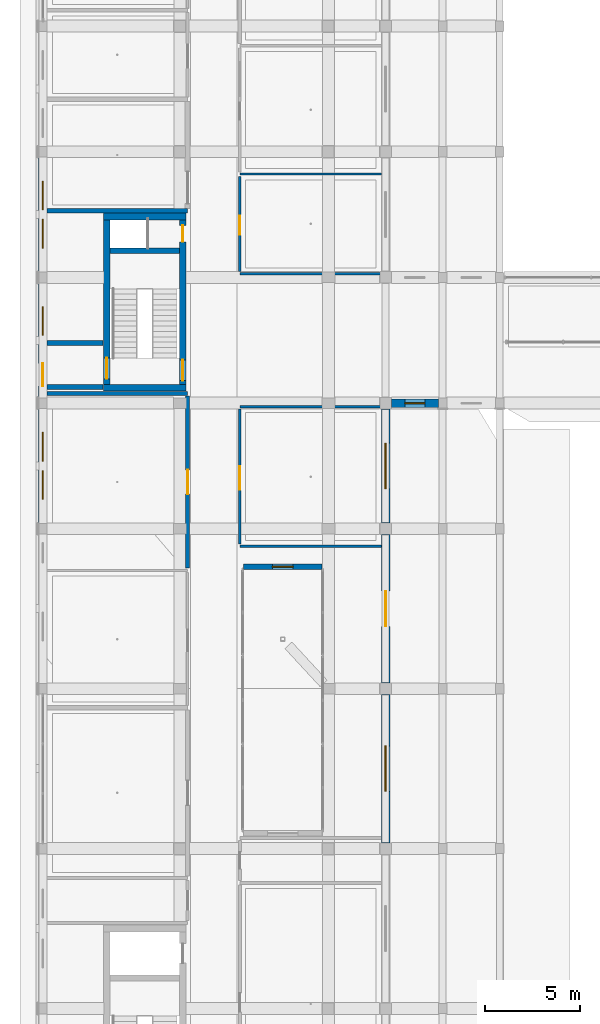
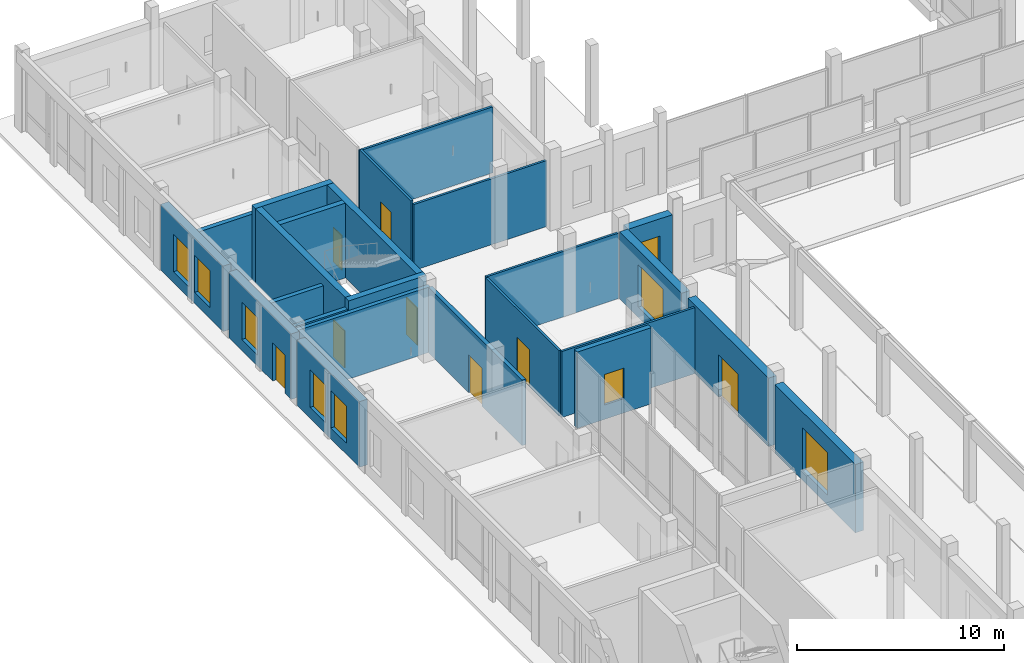
# One storey, part 49 of 88: 24 walls, 9 windows, 8 doors, 17 openings.
"""IFC4 building model written with IfcOpenShell, lengths in metres."""

from ifc_helpers import new_model, si_unit, derived_unit, direction, frame, frame_2d, origin, origin_with_axes, place, context, subcontext, project, spatial, rectangle, extrude, material, layer, layer_set, type_object, element, fill, save


model = new_model("IFC4")

# Units and contexts
model_context = context("Model", 3, precision=1e-05, world=origin(), true_north=direction((0.0, 1.0)))
body_context = subcontext(model_context, "Body", "Model", "MODEL_VIEW")
ifc_project = project(units=[si_unit("LENGTHUNIT", "METRE"), si_unit("AREAUNIT", "SQUARE_METRE"), si_unit("VOLUMEUNIT", "CUBIC_METRE"), si_unit("PLANEANGLEUNIT", "RADIAN"), si_unit("MASSUNIT", "GRAM", prefix="KILO"), derived_unit("THERMALTRANSMITTANCEUNIT", [(si_unit("POWERUNIT", "WATT"), 1), (si_unit("LENGTHUNIT", "METRE"), -2), (si_unit("THERMODYNAMICTEMPERATUREUNIT", "KELVIN"), -1)])], contexts=[model_context])

# Site, building, storey
site_placement = place(None, origin())
site = spatial("IfcSite", under=ifc_project, at=site_placement, CompositionType="ELEMENT")
building_placement = place(site_placement, origin())
building = spatial("IfcBuilding", under=site, at=building_placement, Name="Braskholm Square Health Centre", CompositionType="ELEMENT")
storey_placement = place(building_placement, origin())
storey = spatial("IfcBuildingStorey", under=building, at=storey_placement, Name="L01", CompositionType="ELEMENT", Elevation=0.0)

# Wall, opening, door
ifc_material_1 = material(Name="Acoustic gypsum board partition")
ifc_layer_1 = layer(ifc_material_1, 0.125)
ifc_layer_set_1 = layer_set([ifc_layer_1], Name="Acoustic gypsum board partition")
wall_type_1 = type_object("IfcWallType", Name="ClinicalExamPartition125", PredefinedType="PARTITIONING", material=ifc_layer_set_1)
wall_1_placement = place(storey_placement, frame((14.550048828125, 79.800048828125, 0.0), z_axis=(0.0, 0.0, 1.0), x_axis=(0.0, 1.0, 0.0)))
wall_1 = element("IfcWall", 1, at=wall_1_placement, inside=storey, type_object=wall_type_1, Name="Interior partition PWALL-L01-0063", PredefinedType="PARTITIONING", context=body_context, shape_type="SweptSolid", body=[
    extrude(rectangle(XDim=7.079833984375, YDim=0.125, at=frame_2d((3.5400390625, 0.0))), origin(), (0.0, 0.0, 1.0), 3.864990234375),
])
opening_1_placement = place(wall_1_placement, frame((2.85400390625, 0.0, 0.0)))
opening_1 = element("IfcOpeningElement", 2, at=opening_1_placement, cuts=wall_1, Name="Opening D-04", PredefinedType="OPENING", context=body_context, shape_type="SweptSolid", body=[
    extrude(rectangle(XDim=1.219970703125, YDim=2.199951171875, at=frame_2d((0.60986328125, 1.10009765625))), frame((0.0, 0.072509765625, 0.0), z_axis=(0.0, -1.0, 0.0), x_axis=(1.0, 0.0, 0.0)), (0.0, 0.0, 1.0), 0.14501953125),
])
ifc_material_2 = material(Name="Architectural bronze anodised aluminium", Category="aluminium")
door_type_1 = type_object("IfcDoorType", Name="DoorBariatricExam1220x2200", OperationType="NOTDEFINED", PredefinedType="DOOR", material=ifc_material_2)
door_1_placement = place(opening_1_placement, frame((1.219970703125, 0.0, 0.0), z_axis=(0.0, 0.0, 1.0), x_axis=(-1.0, 0.0, 0.0)))
door_1 = element("IfcDoor", 3, at=door_1_placement, inside=storey, type_object=door_type_1, Name="Interior door 0028 L01", OperationType="SINGLE_SWING_LEFT", OverallHeight=2.199951171875, OverallWidth=1.219970703125, PredefinedType="DOOR", context=body_context, shape_type="SweptSolid", body=[
    extrude(rectangle(XDim=1.219970703125, YDim=2.199951171875, at=frame_2d((0.60986328125, 1.10009765625))), frame((0.0, 0.02490234375, 0.0), z_axis=(0.0, -1.0, 0.0), x_axis=(1.0, 0.0, 0.0)), (0.0, 0.0, 1.0), 0.050048828125),
])
fill(opening_1, door_1)

# Walls
wall_2_placement = place(storey_placement, frame((14.550048828125, 79.679931640625, 0.0), z_axis=(0.0, 0.0, 1.0), x_axis=(1.0, 0.0, 0.0)))
element("IfcWall", 4, at=wall_2_placement, inside=storey, type_object=wall_type_1, Name="Interior partition PWALL-L01-0064", PredefinedType="PARTITIONING", context=body_context, shape_type="SweptSolid", body=[
    extrude(rectangle(XDim=7.425048828125, YDim=0.125, at=frame_2d((3.71240234375, 0.0))), origin(), (0.0, 0.0, 1.0), 3.89501953125),
])
wall_3_placement = place(storey_placement, frame((14.550048828125, 87.0, 0.0), z_axis=(0.0, 0.0, 1.0), x_axis=(1.0, 0.0, 0.0)))
element("IfcWall", 5, at=wall_3_placement, inside=storey, type_object=wall_type_1, Name="Interior partition PWALL-L01-0065", PredefinedType="PARTITIONING", context=body_context, shape_type="SweptSolid", body=[
    extrude(rectangle(XDim=7.425048828125, YDim=0.125, at=frame_2d((3.71240234375, 0.0))), origin(), (0.0, 0.0, 1.0), 3.864990234375),
])

# Wall, opening, door
wall_4_placement = place(storey_placement, frame((14.550048828125, 94.1201171875, 0.0), z_axis=(0.0, 0.0, 1.0), x_axis=(0.0, 1.0, 0.0)))
wall_4 = element("IfcWall", 6, at=wall_4_placement, inside=storey, type_object=wall_type_1, Name="Interior partition PWALL-L01-0066", PredefinedType="PARTITIONING", context=body_context, shape_type="SweptSolid", body=[
    extrude(rectangle(XDim=4.989990234375, YDim=0.125, at=frame_2d((2.4951171875, 0.0))), origin(), (0.0, 0.0, 1.0), 4.014892578125),
])
opening_2_placement = place(wall_4_placement, frame((1.909912109375, 0.0, 0.0)))
opening_2 = element("IfcOpeningElement", 7, at=opening_2_placement, cuts=wall_4, Name="Opening D-25", PredefinedType="OPENING", context=body_context, shape_type="SweptSolid", body=[
    extrude(rectangle(XDim=1.02001953125, YDim=2.179931640625, at=frame_2d((0.510009765625, 1.08984375))), frame((0.0, 0.072509765625, 0.0), z_axis=(0.0, -1.0, 0.0), x_axis=(1.0, 0.0, 0.0)), (0.0, 0.0, 1.0), 0.14501953125),
])
door_type_2 = type_object("IfcDoorType", Name="DoorConsultWide1020x2180", OperationType="NOTDEFINED", PredefinedType="DOOR", material=ifc_material_2)
door_2_placement = place(opening_2_placement, frame((1.02001953125, 0.0, 0.0), z_axis=(0.0, 0.0, 1.0), x_axis=(-1.0, 0.0, 0.0)))
door_2 = element("IfcDoor", 8, at=door_2_placement, inside=storey, type_object=door_type_2, Name="Interior door 0029 L01", OperationType="SINGLE_SWING_RIGHT", OverallHeight=2.179931640625, OverallWidth=1.02001953125, PredefinedType="DOOR", context=body_context, shape_type="SweptSolid", body=[
    extrude(rectangle(XDim=1.02001953125, YDim=2.179931640625, at=frame_2d((0.510009765625, 1.08984375))), frame((0.0, 0.02490234375, 0.0), z_axis=(0.0, -1.0, 0.0), x_axis=(1.0, 0.0, 0.0)), (0.0, 0.0, 1.0), 0.050048828125),
])
fill(opening_2, door_2)

# Walls
for number, where, z_axis, x_axis, name in (
    (9, (14.550048828125, 94.0, 0.0), (0.0, 0.0, 1.0), (1.0, 0.0, 0.0), "Interior partition PWALL-L01-0067"),
    (10, (14.550048828125, 99.22998046875, 0.0), (0.0, 0.0, 1.0), (1.0, 0.0, 0.0), "Interior partition PWALL-L01-0068"),
):
    element("IfcWall", number, at=place(storey_placement, frame(where, z_axis=z_axis, x_axis=x_axis)), inside=storey, type_object=wall_type_1, Name=name, PredefinedType="PARTITIONING", context=body_context, shape_type="SweptSolid", body=[
        extrude(rectangle(XDim=7.425048828125, YDim=0.125, at=frame_2d((3.71240234375, 0.0))), origin(), (0.0, 0.0, 1.0), 3.89501953125),
    ])

# Wall, openings, windows
ifc_material_3 = material(Name="Mankato-Kasota dolomitic limestone ashlar", Category="masonry")
ifc_layer_2 = layer(ifc_material_3, 0.449951171875)
ifc_layer_set_2 = layer_set([ifc_layer_2], Name="Mankato-Kasota dolomitic limestone ashlar")
wall_type_2 = type_object("IfcWallType", Name="ExteriorKasotaWall450", PredefinedType="SOLIDWALL", material=ifc_layer_set_2)
wall_5_placement = place(storey_placement, frame((4.199951171875, 86.91796875, 0.0), z_axis=(0.0, 0.0, 1.0), x_axis=(0.0, -1.0, 0.0)))
wall_5 = element("IfcWall", 11, at=wall_5_placement, inside=storey, type_object=wall_type_2, Name="Exterior wall EWALL-L01-0008", PredefinedType="SOLIDWALL", context=body_context, shape_type="SweptSolid", body=[
    extrude(rectangle(XDim=6.035888671875, YDim=0.449951171875, at=frame_2d((3.01806640625, 0.0))), origin(), (0.0, 0.0, 1.0), 3.8701171875),
])
opening_3_placement = place(wall_5_placement, frame((1.261962890625, 0.0, 0.64990234375)))
opening_3 = element("IfcOpeningElement", 12, at=opening_3_placement, cuts=wall_5, Name="Opening WN-03", PredefinedType="OPENING", context=body_context, shape_type="SweptSolid", body=[
    extrude(rectangle(XDim=1.5, YDim=2.199951171875, at=frame_2d((0.75, 1.10009765625))), frame((0.0, 0.23486328125, 0.0), z_axis=(0.0, -1.0, 0.0), x_axis=(1.0, 0.0, 0.0)), (0.0, 0.0, 1.0), 0.469970703125),
])
opening_4_placement = place(wall_5_placement, frame((3.27392578125, 0.0, 0.64990234375)))
opening_4 = element("IfcOpeningElement", 13, at=opening_4_placement, cuts=wall_5, Name="Opening WN-03", PredefinedType="OPENING", context=body_context, shape_type="SweptSolid", body=[
    extrude(rectangle(XDim=1.5, YDim=2.199951171875, at=frame_2d((0.75, 1.10009765625))), frame((0.0, 0.23486328125, 0.0), z_axis=(0.0, -1.0, 0.0), x_axis=(1.0, 0.0, 0.0)), (0.0, 0.0, 1.0), 0.469970703125),
])
ifc_material_4 = material(Name="Low-E triple insulating glass (VLT 0.64)", Category="glass")
window_type_1 = type_object("IfcWindowType", Name="WinArtDecoTwin1500x2200", PartitioningType="SINGLE_PANEL", PredefinedType="WINDOW", material=ifc_material_4)
window_1_placement = place(opening_3_placement, origin_with_axes())
window_1 = element("IfcWindow", 14, at=window_1_placement, inside=storey, type_object=window_type_1, Name="Exterior window 0013 L01", OverallHeight=2.199951171875, OverallWidth=1.5, PartitioningType="SINGLE_PANEL", PredefinedType="WINDOW", context=body_context, shape_type="SweptSolid", body=[
    extrude(rectangle(XDim=1.5, YDim=2.199951171875, at=frame_2d((0.75, 1.10009765625))), frame((0.0, 0.030029296875, 0.0), z_axis=(0.0, -1.0, 0.0), x_axis=(1.0, 0.0, 0.0)), (0.0, 0.0, 1.0), 0.06005859375),
])
fill(opening_3, window_1)
window_2_placement = place(opening_4_placement, origin_with_axes())
window_2 = element("IfcWindow", 15, at=window_2_placement, inside=storey, type_object=window_type_1, Name="Exterior window 0014 L01", OverallHeight=2.199951171875, OverallWidth=1.5, PartitioningType="SINGLE_PANEL", PredefinedType="WINDOW", context=body_context, shape_type="SweptSolid", body=[
    extrude(rectangle(XDim=1.5, YDim=2.199951171875, at=frame_2d((0.75, 1.10009765625))), frame((0.0, 0.030029296875, 0.0), z_axis=(0.0, -1.0, 0.0), x_axis=(1.0, 0.0, 0.0)), (0.0, 0.0, 1.0), 0.06005859375),
])
fill(opening_4, window_2)

# Wall, openings, door, window
wall_6_placement = place(storey_placement, frame((4.199951171875, 93.51806640625, 0.0), z_axis=(0.0, 0.0, 1.0), x_axis=(0.0, -1.0, 0.0)))
wall_6 = element("IfcWall", 16, at=wall_6_placement, inside=storey, type_object=wall_type_2, Name="Exterior wall EWALL-L01-0009", PredefinedType="SOLIDWALL", context=body_context, shape_type="SweptSolid", body=[
    extrude(rectangle(XDim=6.0361328125, YDim=0.449951171875, at=frame_2d((3.01806640625, 0.0))), origin(), (0.0, 0.0, 1.0), 3.8701171875),
])
opening_5_placement = place(wall_6_placement, frame((4.22900390625, 0.0, 0.0)))
opening_5 = element("IfcOpeningElement", 17, at=opening_5_placement, cuts=wall_6, Name="Opening D-E3", PredefinedType="OPENING", context=body_context, shape_type="SweptSolid", body=[
    extrude(rectangle(XDim=1.199951171875, YDim=2.25, at=frame_2d((0.60009765625, 1.125))), frame((0.0, 0.23486328125, 0.0), z_axis=(0.0, -1.0, 0.0), x_axis=(1.0, 0.0, 0.0)), (0.0, 0.0, 1.0), 0.469970703125),
])
opening_6_placement = place(wall_6_placement, frame((1.261962890625, 0.0, 0.64990234375)))
opening_6 = element("IfcOpeningElement", 18, at=opening_6_placement, cuts=wall_6, Name="Opening WN-03", PredefinedType="OPENING", context=body_context, shape_type="SweptSolid", body=[
    extrude(rectangle(XDim=1.5, YDim=2.199951171875, at=frame_2d((0.75, 1.10009765625))), frame((0.0, 0.23486328125, 0.0), z_axis=(0.0, -1.0, 0.0), x_axis=(1.0, 0.0, 0.0)), (0.0, 0.0, 1.0), 0.469970703125),
])
door_type_3 = type_object("IfcDoorType", Name="DoorStairExitDischarge1200x2250", OperationType="NOTDEFINED", PredefinedType="DOOR", material=ifc_material_2)
door_3_placement = place(opening_5_placement, frame((1.199951171875, 0.0, 0.0), z_axis=(0.0, 0.0, 1.0), x_axis=(-1.0, 0.0, 0.0)))
door_3 = element("IfcDoor", 19, at=door_3_placement, inside=storey, type_object=door_type_3, Name="Exterior door 0003 L01", OperationType="SINGLE_SWING_LEFT", OverallHeight=2.25, OverallWidth=1.199951171875, PredefinedType="DOOR", context=body_context, shape_type="SweptSolid", body=[
    extrude(rectangle(XDim=1.199951171875, YDim=2.25, at=frame_2d((0.60009765625, 1.125))), frame((0.0, 0.02490234375, 0.0), z_axis=(0.0, -1.0, 0.0), x_axis=(1.0, 0.0, 0.0)), (0.0, 0.0, 1.0), 0.050048828125),
])
fill(opening_5, door_3)
window_3_placement = place(opening_6_placement, origin_with_axes())
window_3 = element("IfcWindow", 20, at=window_3_placement, inside=storey, type_object=window_type_1, Name="Exterior window 0015 L01", OverallHeight=2.199951171875, OverallWidth=1.5, PartitioningType="SINGLE_PANEL", PredefinedType="WINDOW", context=body_context, shape_type="SweptSolid", body=[
    extrude(rectangle(XDim=1.5, YDim=2.199951171875, at=frame_2d((0.75, 1.10009765625))), frame((0.0, 0.030029296875, 0.0), z_axis=(0.0, -1.0, 0.0), x_axis=(1.0, 0.0, 0.0)), (0.0, 0.0, 1.0), 0.06005859375),
])
fill(opening_6, window_3)

# Wall, openings, windows
wall_7_placement = place(storey_placement, frame((4.199951171875, 100.117919921875, 0.0), z_axis=(0.0, 0.0, 1.0), x_axis=(0.0, -1.0, 0.0)))
wall_7 = element("IfcWall", 21, at=wall_7_placement, inside=storey, type_object=wall_type_2, Name="Exterior wall EWALL-L01-0010", PredefinedType="SOLIDWALL", context=body_context, shape_type="SweptSolid", body=[
    extrude(rectangle(XDim=6.035888671875, YDim=0.449951171875, at=frame_2d((3.01806640625, 0.0))), origin(), (0.0, 0.0, 1.0), 3.8701171875),
])
opening_7_placement = place(wall_7_placement, frame((1.261962890625, 0.0, 0.64990234375)))
opening_7 = element("IfcOpeningElement", 22, at=opening_7_placement, cuts=wall_7, Name="Opening WN-03", PredefinedType="OPENING", context=body_context, shape_type="SweptSolid", body=[
    extrude(rectangle(XDim=1.5, YDim=2.199951171875, at=frame_2d((0.75, 1.10009765625))), frame((0.0, 0.23486328125, 0.0), z_axis=(0.0, -1.0, 0.0), x_axis=(1.0, 0.0, 0.0)), (0.0, 0.0, 1.0), 0.469970703125),
])
opening_8_placement = place(wall_7_placement, frame((3.27392578125, 0.0, 0.64990234375)))
opening_8 = element("IfcOpeningElement", 23, at=opening_8_placement, cuts=wall_7, Name="Opening WN-03", PredefinedType="OPENING", context=body_context, shape_type="SweptSolid", body=[
    extrude(rectangle(XDim=1.5, YDim=2.199951171875, at=frame_2d((0.75, 1.10009765625))), frame((0.0, 0.23486328125, 0.0), z_axis=(0.0, -1.0, 0.0), x_axis=(1.0, 0.0, 0.0)), (0.0, 0.0, 1.0), 0.469970703125),
])
window_4_placement = place(opening_7_placement, origin_with_axes())
window_4 = element("IfcWindow", 24, at=window_4_placement, inside=storey, type_object=window_type_1, Name="Exterior window 0016 L01", OverallHeight=2.199951171875, OverallWidth=1.5, PartitioningType="SINGLE_PANEL", PredefinedType="WINDOW", context=body_context, shape_type="SweptSolid", body=[
    extrude(rectangle(XDim=1.5, YDim=2.199951171875, at=frame_2d((0.75, 1.10009765625))), frame((0.0, 0.030029296875, 0.0), z_axis=(0.0, -1.0, 0.0), x_axis=(1.0, 0.0, 0.0)), (0.0, 0.0, 1.0), 0.06005859375),
])
fill(opening_7, window_4)
window_5_placement = place(opening_8_placement, origin_with_axes())
window_5 = element("IfcWindow", 25, at=window_5_placement, inside=storey, type_object=window_type_1, Name="Exterior window 0017 L01", OverallHeight=2.199951171875, OverallWidth=1.5, PartitioningType="SINGLE_PANEL", PredefinedType="WINDOW", context=body_context, shape_type="SweptSolid", body=[
    extrude(rectangle(XDim=1.5, YDim=2.199951171875, at=frame_2d((0.75, 1.10009765625))), frame((0.0, 0.030029296875, 0.0), z_axis=(0.0, -1.0, 0.0), x_axis=(1.0, 0.0, 0.0)), (0.0, 0.0, 1.0), 0.06005859375),
])
fill(opening_8, window_5)

# Wall, opening, window
wall_8_placement = place(storey_placement, frame((22.199951171875, 64.10205078125, 0.0), z_axis=(0.0, 0.0, 1.0), x_axis=(0.0, 1.0, 0.0)))
wall_8 = element("IfcWall", 26, at=wall_8_placement, inside=storey, type_object=wall_type_2, Name="Exterior wall EWALL-L01-0103", PredefinedType="SOLIDWALL", context=body_context, shape_type="SweptSolid", body=[
    extrude(rectangle(XDim=7.7958984375, YDim=0.449951171875, at=frame_2d((3.89794921875, 0.0))), origin(), (0.0, 0.0, 1.0), 4.0400390625),
])
opening_9_placement = place(wall_8_placement, frame((2.697998046875, 0.0, 0.60009765625)))
opening_9 = element("IfcOpeningElement", 27, at=opening_9_placement, cuts=wall_8, Name="Opening WN-05", PredefinedType="OPENING", context=body_context, shape_type="SweptSolid", body=[
    extrude(rectangle(XDim=2.39990234375, YDim=2.5, at=frame_2d((1.199951171875, 1.25))), frame((0.0, 0.23486328125, 0.0), z_axis=(0.0, -1.0, 0.0), x_axis=(1.0, 0.0, 0.0)), (0.0, 0.0, 1.0), 0.469970703125),
])
window_type_2 = type_object("IfcWindowType", Name="WinStorefrontSquare2400x2500", PartitioningType="SINGLE_PANEL", PredefinedType="WINDOW", material=ifc_material_4)
window_6_placement = place(opening_9_placement, origin_with_axes())
window_6 = element("IfcWindow", 28, at=window_6_placement, inside=storey, type_object=window_type_2, Name="Exterior window 0175 L01", OverallHeight=2.5, OverallWidth=2.39990234375, PartitioningType="SINGLE_PANEL", PredefinedType="WINDOW", context=body_context, shape_type="SweptSolid", body=[
    extrude(rectangle(XDim=2.39990234375, YDim=2.5, at=frame_2d((1.199951171875, 1.25))), frame((0.0, 0.030029296875, 0.0), z_axis=(0.0, -1.0, 0.0), x_axis=(1.0, 0.0, 0.0)), (0.0, 0.0, 1.0), 0.06005859375),
])
fill(opening_9, window_6)

# Wall, opening, door
wall_9_placement = place(storey_placement, frame((22.199951171875, 72.501953125, 0.0), z_axis=(0.0, 0.0, 1.0), x_axis=(0.0, 1.0, 0.0)))
wall_9 = element("IfcWall", 29, at=wall_9_placement, inside=storey, type_object=wall_type_2, Name="Exterior wall EWALL-L01-0104", PredefinedType="SOLIDWALL", context=body_context, shape_type="SweptSolid", body=[
    extrude(rectangle(XDim=7.796142578125, YDim=0.449951171875, at=frame_2d((3.89794921875, 0.0))), origin(), (0.0, 0.0, 1.0), 4.0400390625),
])
opening_10_placement = place(wall_9_placement, frame((2.968017578125, 0.0, 0.0)))
opening_10 = element("IfcOpeningElement", 30, at=opening_10_placement, cuts=wall_9, Name="Opening D-E2", PredefinedType="OPENING", context=body_context, shape_type="SweptSolid", body=[
    extrude(rectangle(XDim=1.860107421875, YDim=2.5, at=frame_2d((0.93017578125, 1.25))), frame((0.0, 0.23486328125, 0.0), z_axis=(0.0, -1.0, 0.0), x_axis=(1.0, 0.0, 0.0)), (0.0, 0.0, 1.0), 0.469970703125),
])
door_type_4 = type_object("IfcDoorType", Name="DoorSquareEntrancePair1860x2500", OperationType="DOUBLE_DOOR_SINGLE_SWING", PredefinedType="DOOR", material=ifc_material_4)
door_4_placement = place(opening_10_placement, frame((1.860107421875, 0.0, 0.0), z_axis=(0.0, 0.0, 1.0), x_axis=(-1.0, 0.0, 0.0)))
door_4 = element("IfcDoor", 31, at=door_4_placement, inside=storey, type_object=door_type_4, Name="Exterior door 0010 L01", OperationType="DOUBLE_DOOR_SINGLE_SWING", OverallHeight=2.5, OverallWidth=1.860107421875, PredefinedType="DOOR", context=body_context, shape_type="SweptSolid", body=[
    extrude(rectangle(XDim=1.860107421875, YDim=2.5, at=frame_2d((0.93017578125, 1.25))), frame((0.0, 0.02490234375, 0.0), z_axis=(0.0, -1.0, 0.0), x_axis=(1.0, 0.0, 0.0)), (0.0, 0.0, 1.0), 0.050048828125),
])
fill(opening_10, door_4)

# Wall, opening, window
wall_10_placement = place(storey_placement, frame((22.199951171875, 80.902099609375, 0.0), z_axis=(0.0, 0.0, 1.0), x_axis=(0.0, 1.0, 0.0)))
wall_10 = element("IfcWall", 32, at=wall_10_placement, inside=storey, type_object=wall_type_2, Name="Exterior wall EWALL-L01-0105", PredefinedType="SOLIDWALL", context=body_context, shape_type="SweptSolid", body=[
    extrude(rectangle(XDim=5.995849609375, YDim=0.449951171875, at=frame_2d((2.998046875, 0.0))), origin(), (0.0, 0.0, 1.0), 3.9599609375),
])
opening_11_placement = place(wall_10_placement, frame((1.798095703125, 0.0, 0.60009765625)))
opening_11 = element("IfcOpeningElement", 33, at=opening_11_placement, cuts=wall_10, Name="Opening WN-05", PredefinedType="OPENING", context=body_context, shape_type="SweptSolid", body=[
    extrude(rectangle(XDim=2.39990234375, YDim=2.5, at=frame_2d((1.199951171875, 1.25))), frame((0.0, 0.23486328125, 0.0), z_axis=(0.0, -1.0, 0.0), x_axis=(1.0, 0.0, 0.0)), (0.0, 0.0, 1.0), 0.469970703125),
])
window_7_placement = place(opening_11_placement, origin_with_axes())
window_7 = element("IfcWindow", 34, at=window_7_placement, inside=storey, type_object=window_type_2, Name="Exterior window 0176 L01", OverallHeight=2.5, OverallWidth=2.39990234375, PartitioningType="SINGLE_PANEL", PredefinedType="WINDOW", context=body_context, shape_type="SweptSolid", body=[
    extrude(rectangle(XDim=2.39990234375, YDim=2.5, at=frame_2d((1.199951171875, 1.25))), frame((0.0, 0.030029296875, 0.0), z_axis=(0.0, -1.0, 0.0), x_axis=(1.0, 0.0, 0.0)), (0.0, 0.0, 1.0), 0.06005859375),
])
fill(opening_11, window_7)

wall_11_placement = place(storey_placement, frame((22.501953125, 87.199951171875, 0.0), z_axis=(0.0, 0.0, 1.0), x_axis=(1.0, 0.0, 0.0)))
wall_11 = element("IfcWall", 35, at=wall_11_placement, inside=storey, type_object=wall_type_2, Name="Exterior wall EWALL-L01-0253", PredefinedType="SOLIDWALL", context=body_context, shape_type="SweptSolid", body=[
    extrude(rectangle(XDim=2.47607421875, YDim=0.449951171875, at=frame_2d((1.238037109375, 0.0))), origin(), (0.0, 0.0, 1.0), 3.8701171875),
])
opening_12_placement = place(wall_11_placement, frame((0.712890625, 0.0, 0.64990234375)))
opening_12 = element("IfcOpeningElement", 36, at=opening_12_placement, cuts=wall_11, Name="Opening WN-02", PredefinedType="OPENING", context=body_context, shape_type="SweptSolid", body=[
    extrude(rectangle(XDim=1.050048828125, YDim=2.199951171875, at=frame_2d((0.52490234375, 1.10009765625))), frame((0.0, 0.23486328125, 0.0), z_axis=(0.0, -1.0, 0.0), x_axis=(1.0, 0.0, 0.0)), (0.0, 0.0, 1.0), 0.469970703125),
])
window_type_3 = type_object("IfcWindowType", Name="WinArtDecoLancet1050x2200", PartitioningType="SINGLE_PANEL", PredefinedType="WINDOW", material=ifc_material_4)
window_8_placement = place(opening_12_placement, origin_with_axes())
window_8 = element("IfcWindow", 37, at=window_8_placement, inside=storey, type_object=window_type_3, Name="Exterior window 0303 L01", OverallHeight=2.199951171875, OverallWidth=1.050048828125, PartitioningType="SINGLE_PANEL", PredefinedType="WINDOW", context=body_context, shape_type="SweptSolid", body=[
    extrude(rectangle(XDim=1.050048828125, YDim=2.199951171875, at=frame_2d((0.52490234375, 1.10009765625))), frame((0.0, 0.030029296875, 0.0), z_axis=(0.0, -1.0, 0.0), x_axis=(1.0, 0.0, 0.0)), (0.0, 0.0, 1.0), 0.06005859375),
])
fill(opening_12, window_8)

ifc_material_5 = material(Name="Precast concrete C40/50 architectural white", Category="concrete")
ifc_layer_3 = layer(ifc_material_5, 0.280029296875)
ifc_layer_set_3 = layer_set([ifc_layer_3], Name="Precast concrete C40/50 architectural white")
wall_type_3 = type_object("IfcWallType", Name="ExteriorPrecastSpandrelWall280", PredefinedType="SOLIDWALL", material=ifc_layer_set_3)
wall_12_placement = place(storey_placement, frame((14.73388671875, 78.60009765625, 0.0), z_axis=(0.0, 0.0, 1.0), x_axis=(1.0, 0.0, 0.0)))
wall_12 = element("IfcWall", 38, at=wall_12_placement, inside=storey, type_object=wall_type_3, Name="Exterior wall EWALL-L01-0296", PredefinedType="SOLIDWALL", context=body_context, shape_type="SweptSolid", body=[
    extrude(rectangle(XDim=4.132080078125, YDim=0.280029296875, at=frame_2d((2.06591796875, 0.0))), origin(), (0.0, 0.0, 1.0), 4.5),
])
opening_13_placement = place(wall_12_placement, frame((1.51611328125, 0.0, 0.85009765625)))
opening_13 = element("IfcOpeningElement", 39, at=opening_13_placement, cuts=wall_12, Name="Opening WN-26", PredefinedType="OPENING", context=body_context, shape_type="SweptSolid", body=[
    extrude(rectangle(XDim=1.10009765625, YDim=1.800048828125, at=frame_2d((0.550048828125, 0.89990234375))), frame((0.0, 0.14990234375, 0.0), z_axis=(0.0, -1.0, 0.0), x_axis=(1.0, 0.0, 0.0)), (0.0, 0.0, 1.0), 0.300048828125),
])
window_type_4 = type_object("IfcWindowType", Name="WinLightCourt1100x1800", PartitioningType="SINGLE_PANEL", PredefinedType="WINDOW", material=ifc_material_4)
window_9_placement = place(opening_13_placement, origin_with_axes())
window_9 = element("IfcWindow", 40, at=window_9_placement, inside=storey, type_object=window_type_4, Name="Exterior window 0342 L01", OverallHeight=1.800048828125, OverallWidth=1.10009765625, PartitioningType="SINGLE_PANEL", PredefinedType="WINDOW", context=body_context, shape_type="SweptSolid", body=[
    extrude(rectangle(XDim=1.10009765625, YDim=1.800048828125, at=frame_2d((0.550048828125, 0.89990234375))), frame((0.0, 0.030029296875, 0.0), z_axis=(0.0, -1.0, 0.0), x_axis=(1.0, 0.0, 0.0)), (0.0, 0.0, 1.0), 0.06005859375),
])
fill(opening_13, window_9)

# Walls
ifc_material_6 = material(Name="Concrete C35/45 (f'c = 35 MPa)", Category="concrete")
ifc_layer_4 = layer(ifc_material_6, 0.25)
ifc_layer_set_4 = layer_set([ifc_layer_4], Name="Concrete C35/45 (f'c = 35 MPa)")
wall_type_4 = type_object("IfcWallType", Name="FireBarrierWall250", PredefinedType="SOLIDWALL", material=ifc_layer_set_4)
for number, where, z_axis, x_axis, name in (
    (41, (4.425048828125, 88.050048828125, 0.0), (0.0, 0.0, 1.0), (1.0, 0.0, 0.0), "Interior partition PWALL-L01-0020"),
    (42, (4.425048828125, 90.35009765625, 0.0), (0.0, 0.0, 1.0), (1.0, 0.0, 0.0), "Interior partition PWALL-L01-0021"),
):
    element("IfcWall", number, at=place(storey_placement, frame(where, z_axis=z_axis, x_axis=x_axis)), inside=storey, type_object=wall_type_4, Name=name, PredefinedType="SOLIDWALL", context=body_context, shape_type="SweptSolid", body=[
        extrude(rectangle(XDim=2.945068359375, YDim=0.25, at=frame_2d((1.47265625, 0.0))), origin(), (0.0, 0.0, 1.0), 3.864990234375),
    ])
wall_13_placement = place(storey_placement, frame((4.425048828125, 97.300048828125, 0.0), z_axis=(0.0, 0.0, 1.0), x_axis=(1.0, 0.0, 0.0)))
element("IfcWall", 43, at=wall_13_placement, inside=storey, type_object=wall_type_4, Name="Interior partition PWALL-L01-0046", PredefinedType="SOLIDWALL", context=body_context, shape_type="SweptSolid", body=[
    extrude(rectangle(XDim=7.375, YDim=0.25, at=frame_2d((3.6875, 0.0))), origin(), (0.0, 0.0, 1.0), 3.864990234375),
])

# Wall, opening, door
ifc_material_7 = material(Name="Fire-rated gypsum board barrier")
ifc_layer_5 = layer(ifc_material_7, 0.22509765625)
ifc_layer_set_5 = layer_set([ifc_layer_5], Name="Fire-rated gypsum board barrier")
wall_type_5 = type_object("IfcWallType", Name="ImagingShieldedWall225", PredefinedType="SOLIDWALL", material=ifc_layer_set_5)
wall_14_placement = place(storey_placement, frame((11.800048828125, 78.530029296875, 0.0), z_axis=(0.0, 0.0, 1.0), x_axis=(0.0, 1.0, 0.0)))
wall_14 = element("IfcWall", 44, at=wall_14_placement, inside=storey, type_object=wall_type_5, Name="Interior partition PWALL-L01-0042", PredefinedType="SOLIDWALL", context=body_context, shape_type="SweptSolid", body=[
    extrude(rectangle(XDim=9.050048828125, YDim=0.22509765625, at=frame_2d((4.52490234375, 0.0))), origin(), (0.0, 0.0, 1.0), 3.864990234375),
])
opening_14_placement = place(wall_14_placement, frame((3.885009765625, 0.0, 0.0)))
opening_14 = element("IfcOpeningElement", 45, at=opening_14_placement, cuts=wall_14, Name="Opening D-20", PredefinedType="OPENING", context=body_context, shape_type="SweptSolid", body=[
    extrude(rectangle(XDim=1.280029296875, YDim=2.25, at=frame_2d((0.64013671875, 1.125))), frame((0.0, 0.12255859375, 0.0), z_axis=(0.0, -1.0, 0.0), x_axis=(1.0, 0.0, 0.0)), (0.0, 0.0, 1.0), 0.2451171875),
])
door_type_5 = type_object("IfcDoorType", Name="DoorLeadXRay1280x2250", OperationType="NOTDEFINED", PredefinedType="DOOR", material=ifc_material_2)
door_5_placement = place(opening_14_placement, origin_with_axes())
door_5 = element("IfcDoor", 46, at=door_5_placement, inside=storey, type_object=door_type_5, Name="Interior door 0018 L01", OperationType="SINGLE_SWING_RIGHT", OverallHeight=2.25, OverallWidth=1.280029296875, PredefinedType="DOOR", context=body_context, shape_type="SweptSolid", body=[
    extrude(rectangle(XDim=1.280029296875, YDim=2.25, at=frame_2d((0.64013671875, 1.125))), frame((0.0, 0.02490234375, 0.0), z_axis=(0.0, -1.0, 0.0), x_axis=(1.0, 0.0, 0.0)), (0.0, 0.0, 1.0), 0.050048828125),
])
fill(opening_14, door_5)

# Walls
wall_15_placement = place(storey_placement, frame((4.425048828125, 87.699951171875, 0.0), z_axis=(0.0, 0.0, 1.0), x_axis=(1.0, 0.0, 0.0)))
element("IfcWall", 47, at=wall_15_placement, inside=storey, type_object=wall_type_5, Name="Interior partition PWALL-L01-0043", PredefinedType="SOLIDWALL", context=body_context, shape_type="SweptSolid", body=[
    extrude(rectangle(XDim=7.375, YDim=0.22509765625, at=frame_2d((3.6875, 0.0))), origin(), (0.0, 0.0, 1.0), 3.864990234375),
])
ifc_material_8 = material(Name="Concrete C40/50 (f'c = 40 MPa)", Category="concrete")
ifc_layer_6 = layer(ifc_material_8, 0.300048828125)
ifc_layer_set_6 = layer_set([ifc_layer_6], Name="Concrete C40/50 (f'c = 40 MPa)")
wall_type_6 = type_object("IfcWallType", Name="ShearCoreWall300", PredefinedType="SHEAR", material=ifc_layer_set_6)
wall_16_placement = place(storey_placement, frame((7.72509765625, 95.199951171875, 0.0), z_axis=(0.0, 0.0, 1.0), x_axis=(1.0, 0.0, 0.0)))
element("IfcWall", 48, at=wall_16_placement, inside=storey, type_object=wall_type_6, Name="Core K3 internal shear divider L01", PredefinedType="SHEAR", context=body_context, shape_type="SweptSolid", body=[
    extrude(rectangle(XDim=3.64990234375, YDim=0.300048828125, at=frame_2d((1.824951171875, 0.0))), origin(), (0.0, 0.0, 1.0), 4.419921875),
])
ifc_layer_7 = layer(ifc_material_8, 0.35009765625)
ifc_layer_set_7 = layer_set([ifc_layer_7], Name="Concrete C40/50 (f'c = 40 MPa)")
wall_type_7 = type_object("IfcWallType", Name="ShearCoreWall350", PredefinedType="SHEAR", material=ifc_layer_set_7)
for number, where, z_axis, x_axis, name in (
    (49, (7.375, 88.0, 0.0), (0.0, 0.0, 1.0), (1.0, 0.0, 0.0), "CWALL-K3-L01 south wall"),
    (50, (11.72509765625, 97.0, 0.0), (0.0, 0.0, 1.0), (-1.0, 0.0, 0.0), "CWALL-K3-L01 north wall"),
):
    element("IfcWall", number, at=place(storey_placement, frame(where, z_axis=z_axis, x_axis=x_axis)), inside=storey, type_object=wall_type_7, Name=name, PredefinedType="SHEAR", context=body_context, shape_type="SweptSolid", body=[
        extrude(rectangle(XDim=4.35009765625, YDim=0.35009765625, at=frame_2d((2.175048828125, 0.0))), origin(), (0.0, 0.0, 1.0), 4.419921875),
    ])

# Wall, opening, door
wall_17_placement = place(storey_placement, frame((7.550048828125, 96.824951171875, 0.0), z_axis=(0.0, 0.0, 1.0), x_axis=(0.0, -1.0, 0.0)))
wall_17 = element("IfcWall", 51, at=wall_17_placement, inside=storey, type_object=wall_type_7, Name="CWALL-K3-L01 west wall", PredefinedType="SHEAR", context=body_context, shape_type="SweptSolid", body=[
    extrude(rectangle(XDim=8.64990234375, YDim=0.35009765625, at=frame_2d((4.324951171875, 0.0))), origin(), (0.0, 0.0, 1.0), 4.419921875),
])
opening_15_placement = place(wall_17_placement, frame((7.25, 0.0, 0.0)))
opening_15 = element("IfcOpeningElement", 52, at=opening_15_placement, cuts=wall_17, Name="Opening D-22", PredefinedType="OPENING", context=body_context, shape_type="SweptSolid", body=[
    extrude(rectangle(XDim=1.10009765625, YDim=2.199951171875, at=frame_2d((0.550048828125, 1.10009765625))), frame((0.0, 0.18505859375, 0.0), z_axis=(0.0, -1.0, 0.0), x_axis=(1.0, 0.0, 0.0)), (0.0, 0.0, 1.0), 0.3701171875),
])
door_type_6 = type_object("IfcDoorType", Name="DoorStairEnclosure1100x2200", OperationType="NOTDEFINED", PredefinedType="DOOR", material=ifc_material_2)
door_6_placement = place(opening_15_placement, frame((1.10009765625, 0.0, 0.0), z_axis=(0.0, 0.0, 1.0), x_axis=(-1.0, 0.0, 0.0)))
door_6 = element("IfcDoor", 53, at=door_6_placement, inside=storey, type_object=door_type_6, Name="Stair ST-03 protected exit passage door", OperationType="SINGLE_SWING_LEFT", OverallHeight=2.199951171875, OverallWidth=1.10009765625, PredefinedType="DOOR", context=body_context, shape_type="SweptSolid", body=[
    extrude(rectangle(XDim=1.10009765625, YDim=2.199951171875, at=frame_2d((0.550048828125, 1.10009765625))), frame((0.0, 0.02490234375, 0.0), z_axis=(0.0, -1.0, 0.0), x_axis=(1.0, 0.0, 0.0)), (0.0, 0.0, 1.0), 0.050048828125),
])
fill(opening_15, door_6)

# Wall, openings, doors
wall_18_placement = place(storey_placement, frame((11.550048828125, 88.175048828125, 0.0), z_axis=(0.0, 0.0, 1.0), x_axis=(0.0, 1.0, 0.0)))
wall_18 = element("IfcWall", 54, at=wall_18_placement, inside=storey, type_object=wall_type_7, Name="CWALL-K3-L01 east wall", PredefinedType="SHEAR", context=body_context, shape_type="SweptSolid", body=[
    extrude(rectangle(XDim=8.64990234375, YDim=0.35009765625, at=frame_2d((4.324951171875, 0.0))), origin(), (0.0, 0.0, 1.0), 4.419921875),
])
opening_16_placement = place(wall_18_placement, frame((0.199951171875, 0.0, 0.0)))
opening_16 = element("IfcOpeningElement", 55, at=opening_16_placement, cuts=wall_18, Name="Opening D-22", PredefinedType="OPENING", context=body_context, shape_type="SweptSolid", body=[
    extrude(rectangle(XDim=1.10009765625, YDim=2.199951171875, at=frame_2d((0.550048828125, 1.10009765625))), frame((0.0, 0.18505859375, 0.0), z_axis=(0.0, -1.0, 0.0), x_axis=(1.0, 0.0, 0.0)), (0.0, 0.0, 1.0), 0.3701171875),
])
opening_17_placement = place(wall_18_placement, frame((7.4951171875, 0.0, 0.0)))
opening_17 = element("IfcOpeningElement", 56, at=opening_17_placement, cuts=wall_18, Name="Opening D-24", PredefinedType="OPENING", context=body_context, shape_type="SweptSolid", body=[
    extrude(rectangle(XDim=0.860107421875, YDim=2.050048828125, at=frame_2d((0.43017578125, 1.02490234375))), frame((0.0, 0.18505859375, 0.0), z_axis=(0.0, -1.0, 0.0), x_axis=(1.0, 0.0, 0.0)), (0.0, 0.0, 1.0), 0.3701171875),
])
door_type_7 = type_object("IfcDoorType", Name="DoorRiserShaft860x2050", OperationType="NOTDEFINED", PredefinedType="DOOR", material=ifc_material_2)
door_7_placement = place(opening_17_placement, origin_with_axes())
door_7 = element("IfcDoor", 57, at=door_7_placement, inside=storey, type_object=door_type_7, Name="Core K3 service riser fire door L01", OperationType="SINGLE_SWING_RIGHT", OverallHeight=2.050048828125, OverallWidth=0.860107421875, PredefinedType="DOOR", context=body_context, shape_type="SweptSolid", body=[
    extrude(rectangle(XDim=0.860107421875, YDim=2.050048828125, at=frame_2d((0.43017578125, 1.02490234375))), frame((0.0, 0.02490234375, 0.0), z_axis=(0.0, -1.0, 0.0), x_axis=(1.0, 0.0, 0.0)), (0.0, 0.0, 1.0), 0.050048828125),
])
fill(opening_17, door_7)
door_8_placement = place(opening_16_placement, origin_with_axes())
door_8 = element("IfcDoor", 58, at=door_8_placement, inside=storey, type_object=door_type_6, Name="Stair ST-03 door L01", OperationType="SINGLE_SWING_LEFT", OverallHeight=2.199951171875, OverallWidth=1.10009765625, PredefinedType="DOOR", context=body_context, shape_type="SweptSolid", body=[
    extrude(rectangle(XDim=1.10009765625, YDim=2.199951171875, at=frame_2d((0.550048828125, 1.10009765625))), frame((0.0, 0.02490234375, 0.0), z_axis=(0.0, -1.0, 0.0), x_axis=(1.0, 0.0, 0.0)), (0.0, 0.0, 1.0), 0.050048828125),
])
fill(opening_16, door_8)

save(model, "model.ifc")
